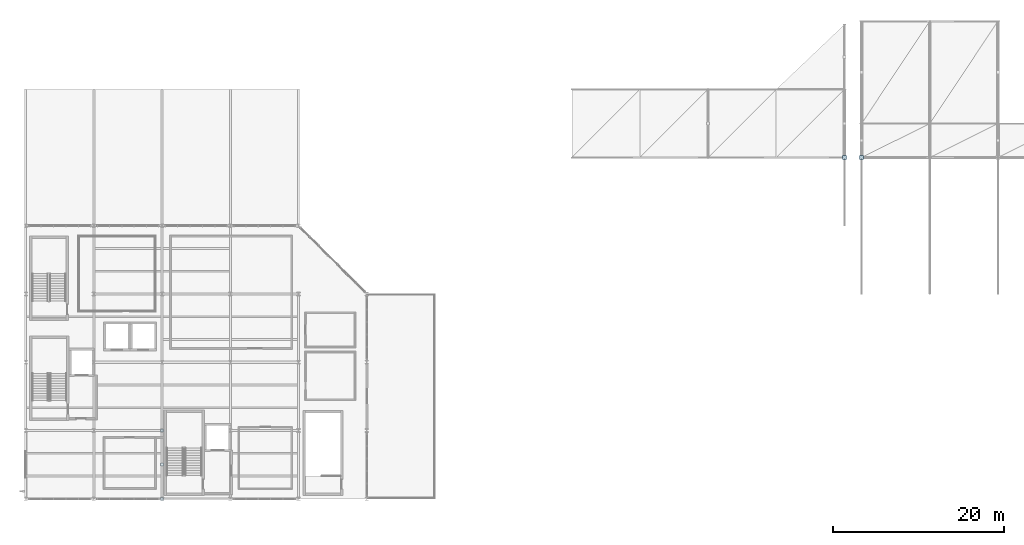
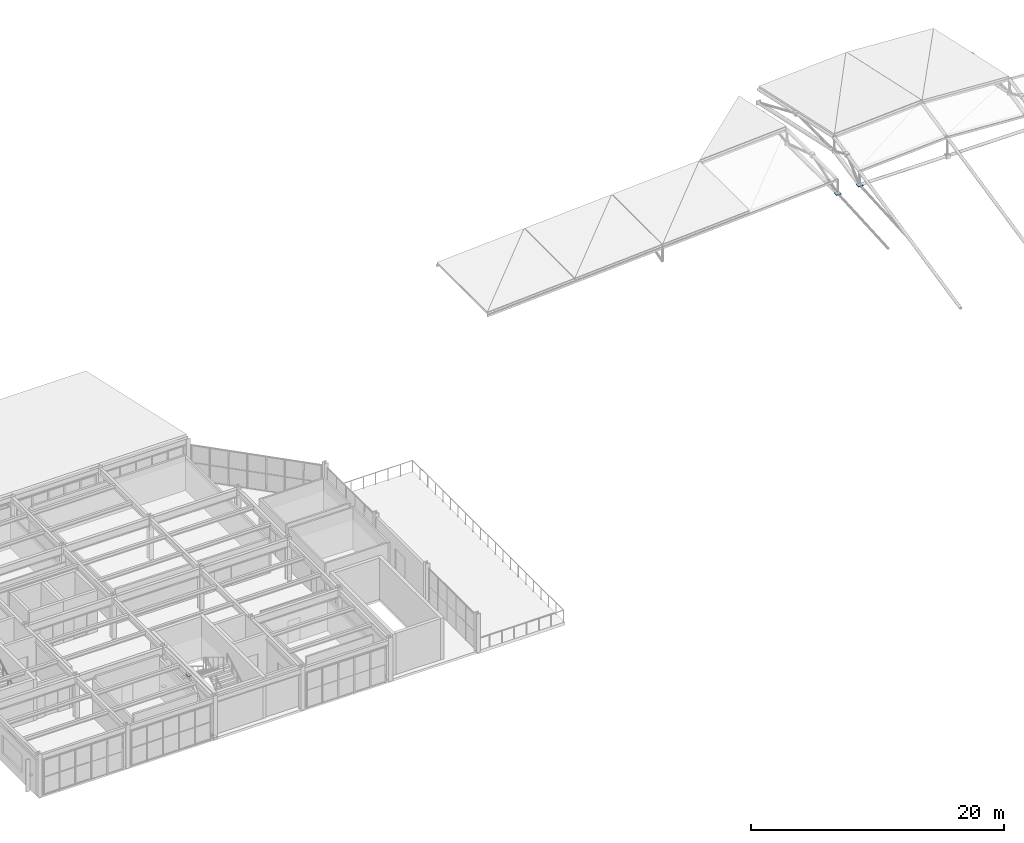
# One storey, part 18 of 27: 5 plates.
"""IFC4 building model written with IfcOpenShell, lengths in metres."""

from ifc_helpers import new_model, si_unit, direction, frame, origin, origin_2d, place, context, subcontext, project, spatial, rectangle, extrude, material, layer, layer_set, type_object, element, save


model = new_model("IFC4")

# Units and contexts
model_context = context("Model", 3, precision=1e-05, world=origin(), true_north=direction((0.0, 1.0)))
body_context = subcontext(model_context, "Body", "Model", "MODEL_VIEW")
ifc_project = project(units=[si_unit("LENGTHUNIT", "METRE"), si_unit("AREAUNIT", "SQUARE_METRE"), si_unit("VOLUMEUNIT", "CUBIC_METRE"), si_unit("PLANEANGLEUNIT", "RADIAN"), si_unit("MASSUNIT", "GRAM", prefix="KILO")], contexts=[model_context])

# Site, building, storey
site_placement = place(None, origin())
site = spatial("IfcSite", under=ifc_project, at=site_placement, CompositionType="ELEMENT")
building_placement = place(site_placement, origin())
building = spatial("IfcBuilding", under=site, at=building_placement, Name="Drelvath Fold Interchange", CompositionType="ELEMENT")
storey_placement = place(building_placement, frame((0.0, 0.0, 19.800048828125)))
storey = spatial("IfcBuildingStorey", under=building, at=storey_placement, Name="L04", CompositionType="ELEMENT", Elevation=19.800048828125)

# Plates
ifc_material = material(Name="Steel ASTM A572 Grade 50", Category="steel")
ifc_layer_1 = layer(ifc_material, 0.06005859375, Name="Steel ASTM A572 Grade 50")
ifc_layer_set_1 = layer_set([ifc_layer_1], Name="Steel ASTM A572 Grade 50")
plate_type_1 = type_object("IfcPlateType", Name="SN-02", PredefinedType="USERDEFINED", material=ifc_layer_set_1)
for number, where, z_axis, x_axis, name in (
    (1, (100.0, 43.0, 0.27685546875), (0.0, 0.0, 1.0), (1.0, 0.0, 0.0), "Space frame spine node SN-02"),
    (2, (102.0, 43.0, 0.39697265625), (0.0, 0.0, 1.0), (1.0, 0.0, 0.0), "Space frame spine node SN-02"),
):
    element("IfcPlate", number, at=place(storey_placement, frame(where, z_axis=z_axis, x_axis=x_axis)), inside=storey, type_object=plate_type_1, Name=name, ObjectType="GUSSET PLATE", PredefinedType="USERDEFINED", context=body_context, shape_type="SweptSolid", body=[
        extrude(rectangle(XDim=0.43994140625, YDim=0.43994140625, at=origin_2d()), origin(), (0.0, 0.0, 1.0), 0.06005859375),
    ])
ifc_layer_2 = layer(ifc_material, 0.030029296875, Name="Steel ASTM A572 Grade 50")
ifc_layer_set_2 = layer_set([ifc_layer_2], Name="Steel ASTM A572 Grade 50")
plate_type_2 = type_object("IfcPlateType", Name="SN-04", PredefinedType="SHEET", material=ifc_layer_set_2)
for number, where, z_axis, x_axis, name in (
    (3, (20.0, 7.0, 3.662109375), (0.0, 0.0, 1.0), (1.0, 0.0, 0.0), "Braced frame chevron apex gusset SN-04"),
    (4, (20.0, 3.0, 0.14501953125), (0.0, 0.0, 1.0), (1.0, 0.0, 0.0), "Braced frame column base gusset SN-04"),
    (5, (20.0, 11.0, 0.14501953125), (0.0, 0.0, 1.0), (1.0, 0.0, 0.0), "Braced frame column base gusset SN-04"),
):
    element("IfcPlate", number, at=place(storey_placement, frame(where, z_axis=z_axis, x_axis=x_axis)), inside=storey, type_object=plate_type_2, Name=name, PredefinedType="SHEET", context=body_context, shape_type="SweptSolid", body=[
        extrude(rectangle(XDim=0.360107421875, YDim=0.360107421875, at=origin_2d()), origin(), (0.0, 0.0, 1.0), 0.030029296875),
    ])

save(model, "model.ifc")
